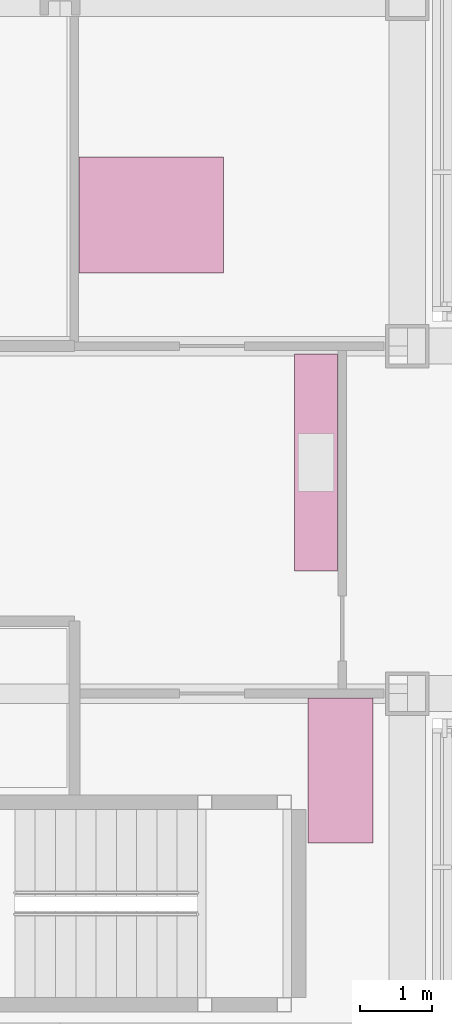
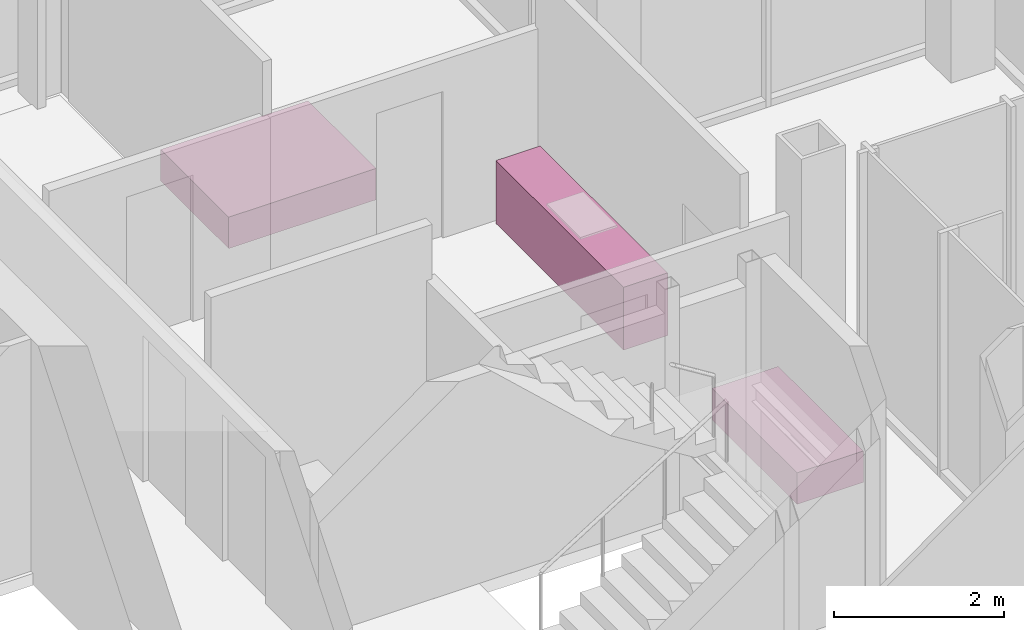
# One storey, part 15 of 15: 3 furniture elements.
"""IFC4 building model written with IfcOpenShell, lengths in metres."""

from ifc_helpers import new_model, si_unit, direction, frame, origin, origin_2d, place, context, subcontext, project, spatial, rectangle, extrude, material, type_object, element, save


model = new_model("IFC4")

# Units and contexts
model_context = context("Model", 3, precision=1e-05, world=origin(), true_north=direction((0.0, 1.0)))
body_context = subcontext(model_context, "Body", "Model", "MODEL_VIEW")
ifc_project = project(units=[si_unit("LENGTHUNIT", "METRE"), si_unit("AREAUNIT", "SQUARE_METRE"), si_unit("VOLUMEUNIT", "CUBIC_METRE"), si_unit("PLANEANGLEUNIT", "RADIAN"), si_unit("MASSUNIT", "GRAM", prefix="KILO")], contexts=[model_context])

# Site, building, storey
site_placement = place(None, origin())
site = spatial("IfcSite", under=ifc_project, at=site_placement, CompositionType="ELEMENT")
building_placement = place(site_placement, origin())
building = spatial("IfcBuilding", under=site, at=building_placement, Name="Kvirike Care Tower", CompositionType="ELEMENT")
storey_placement = place(building_placement, frame((0.0, 0.0, 226.0)))
storey = spatial("IfcBuildingStorey", under=building, at=storey_placement, Name="L62", CompositionType="ELEMENT", Elevation=226.0)

# Furniture
ifc_material_1 = material(Name="Timber", Category="wood")
furniture_type_1 = type_object("IfcFurnitureType", Name="DOUBLE BED 1600 x 2000", AssemblyPlace="FACTORY", PredefinedType="BED", material=ifc_material_1)
furniture_1_placement = place(storey_placement, frame((34.862060546875, 40.2099609375, 0.0), z_axis=(0.0, 0.0, 1.0), x_axis=(0.0, 1.0, 0.0)))
element("IfcFurniture", 1, at=furniture_1_placement, inside=storey, type_object=furniture_type_1, Name="Double bed L62-022", PredefinedType="BED", context=body_context, shape_type="SweptSolid", body=[
    extrude(rectangle(XDim=1.60009765625, YDim=2.0, at=origin_2d()), origin(), (0.0, 0.0, 1.0), 0.449951171875),
])
ifc_material_2 = material(Name="Laminated board", Category="wood")
furniture_type_2 = type_object("IfcFurnitureType", Name="KITCHEN UNIT RUN 600", AssemblyPlace="FACTORY", PredefinedType="USERDEFINED", material=ifc_material_2)
furniture_2_placement = place(storey_placement, frame((37.137939453125, 36.7900390625, 0.0), z_axis=(0.0, 0.0, 1.0), x_axis=(0.0, -1.0, 0.0)))
element("IfcFurniture", 2, at=furniture_2_placement, inside=storey, type_object=furniture_type_2, Name="Kitchen unit run L62-025", ObjectType="KITCHEN UNIT", PredefinedType="USERDEFINED", context=body_context, shape_type="SweptSolid", body=[
    extrude(rectangle(XDim=3.0, YDim=0.60009765625, at=origin_2d()), origin(), (0.0, 0.0, 1.0), 0.89990234375),
])
ifc_material_3 = material(Name="Timber", Category="wood")
furniture_type_3 = type_object("IfcFurnitureType", Name="SINGLE BED 900 x 2000", AssemblyPlace="FACTORY", PredefinedType="BED", material=ifc_material_3)
furniture_3_placement = place(storey_placement, frame((37.47509765625, 32.5380859375, 0.0), z_axis=(0.0, 0.0, 1.0), x_axis=(1.0, 0.0, 0.0)))
element("IfcFurniture", 3, at=furniture_3_placement, inside=storey, type_object=furniture_type_3, Name="Single bed L62-020", PredefinedType="BED", context=body_context, shape_type="SweptSolid", body=[
    extrude(rectangle(XDim=0.89990234375, YDim=2.0, at=origin_2d()), origin(), (0.0, 0.0, 1.0), 0.449951171875),
])

save(model, "model.ifc")
